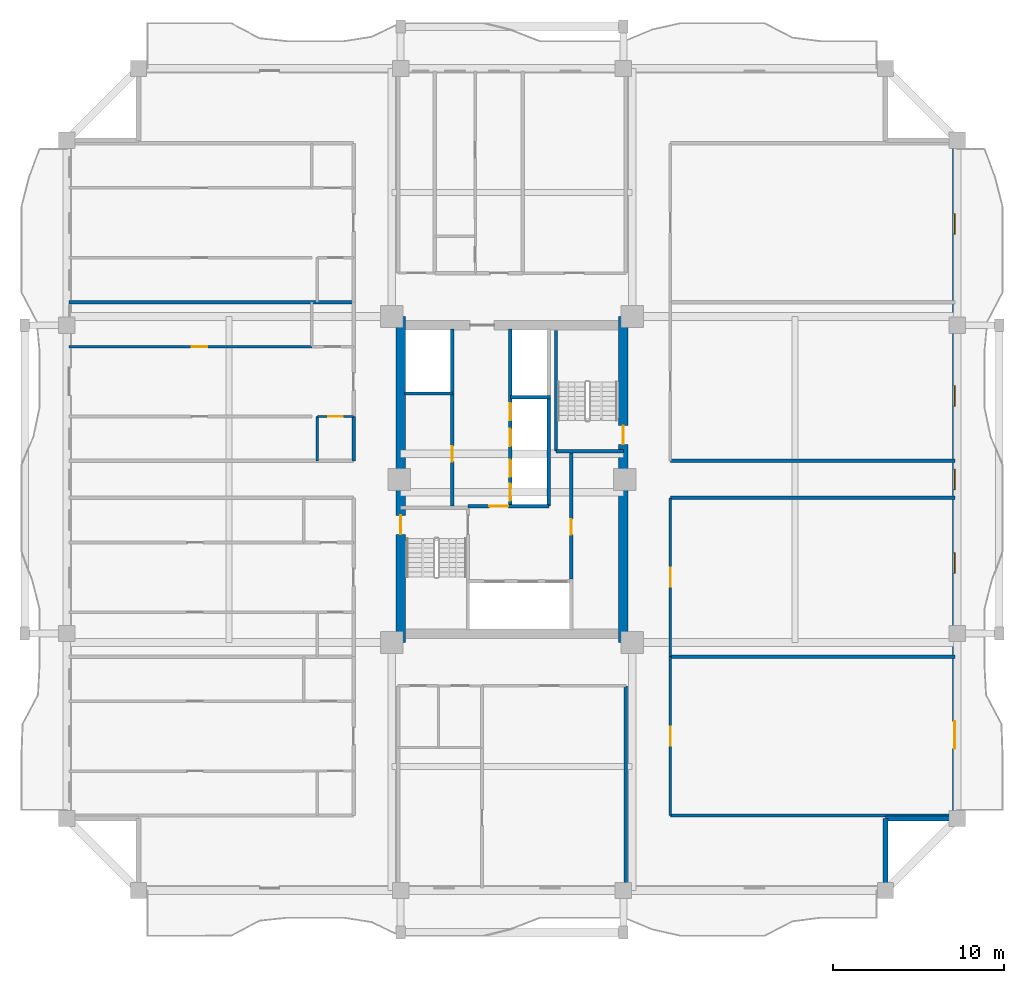
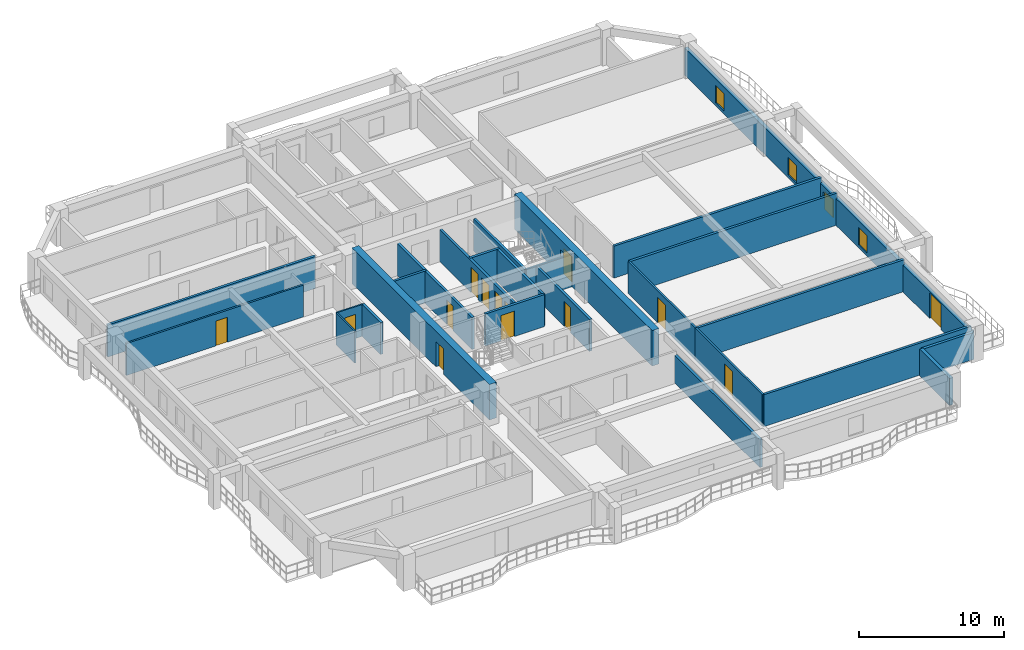
# One storey, part 4 of 11: 26 walls, 14 doors, 4 windows, 18 openings.
"""IFC4 building model written with IfcOpenShell, lengths in metres."""

from ifc_helpers import new_model, si_unit, direction, frame, frame_2d, origin, place, context, subcontext, project, spatial, rectangle, extrude, source, transform, mapped, material, layer, layer_set, type_object, element, fill, save


model = new_model("IFC4")

# Units and contexts
model_context = context("Model", 3, precision=1e-05, world=origin(), true_north=direction((0.0, 1.0)))
body_context = subcontext(model_context, "Body", "Model", "MODEL_VIEW")
ifc_project = project(units=[si_unit("LENGTHUNIT", "METRE"), si_unit("AREAUNIT", "SQUARE_METRE"), si_unit("VOLUMEUNIT", "CUBIC_METRE"), si_unit("PLANEANGLEUNIT", "RADIAN"), si_unit("MASSUNIT", "GRAM", prefix="KILO")], contexts=[model_context])

# Site, building, storey
site_placement = place(None, origin())
site = spatial("IfcSite", under=ifc_project, at=site_placement, CompositionType="ELEMENT")
building_placement = place(site_placement, origin())
building = spatial("IfcBuilding", under=site, at=building_placement, Name="Saelheon Loggia Tower", CompositionType="ELEMENT")
storey_placement = place(building_placement, frame((0.0, 0.0, 141.75)))
storey = spatial("IfcBuildingStorey", under=building, at=storey_placement, Name="L45", CompositionType="ELEMENT", Elevation=141.75)

# Wall, opening, door
ifc_material_1 = material(Name="Concrete C50/60", Category="concrete")
ifc_layer_1 = layer(ifc_material_1, 0.550048828125)
ifc_layer_set_1 = layer_set([ifc_layer_1], Name="Concrete C50/60")
wall_type_1 = type_object("IfcWallType", Name="Wall_CoreShear_550", PredefinedType="SHEAR", material=ifc_layer_set_1)
wall_1_placement = place(storey_placement, frame((31.5, 17.47998046875, 0.0), z_axis=(0.0, 0.0, 1.0), x_axis=(0.0, 1.0, 0.0)))
wall_1 = element("IfcWall", 1, at=wall_1_placement, inside=storey, type_object=wall_type_1, Name="L45 Core Shear Wall West", PredefinedType="SHEAR", context=body_context, shape_type="SweptSolid", body=[
    extrude(rectangle(XDim=19.0400390625, YDim=0.550048828125, at=frame_2d((9.52001953125, 0.0))), origin(), (0.0, 0.0, 1.0), 3.0),
])
opening_1_placement = place(wall_1_placement, frame((6.320068359375, 0.0, 0.0)))
opening_1 = element("IfcOpeningElement", 2, at=opening_1_placement, cuts=wall_1, Name="Opening D-FD2", PredefinedType="OPENING", context=body_context, shape_type="SweptSolid", body=[
    extrude(rectangle(XDim=1.10009765625, YDim=2.14990234375, at=frame_2d((0.550048828125, 1.074951171875))), frame((0.0, 0.287109375, 0.0), z_axis=(0.0, -1.0, 0.0), x_axis=(1.0, 0.0, 0.0)), (0.0, 0.0, 1.0), 0.573974609375),
])
ifc_material_2 = material(Name="Galvanised Steel Fire Door", Category="steel")
door_type_1 = type_object("IfcDoorType", Name="Door_Fire_FD60_1100", OperationType="NOTDEFINED", PredefinedType="DOOR", material=ifc_material_2)
shared_shape_1 = source(origin(), body_context, "Body", "SweptSolid", [
    extrude(rectangle(XDim=1.10009765625, YDim=2.14990234375, at=frame_2d((0.550048828125, 1.074951171875))), frame((0.0, 0.02490234375, 0.0), z_axis=(0.0, -1.0, 0.0), x_axis=(1.0, 0.0, 0.0)), (0.0, 0.0, 1.0), 0.050048828125),
])
door_1_placement = place(opening_1_placement, origin())
door_1 = element("IfcDoor", 3, at=door_1_placement, inside=storey, type_object=door_type_1, Name="L45 Stair ST1 Corridor Door", OperationType="SINGLE_SWING_LEFT", OverallHeight=2.14990234375, OverallWidth=1.10009765625, PredefinedType="DOOR", context=body_context, shape_type="MappedRepresentation", body=[
    mapped(shared_shape_1, transform((0.0, 0.0, 0.0), scale=1.0)),
])
fill(opening_1, door_1)

wall_2_placement = place(storey_placement, frame((44.5, 17.47998046875, 0.0), z_axis=(0.0, 0.0, 1.0), x_axis=(0.0, 1.0, 0.0)))
wall_2 = element("IfcWall", 4, at=wall_2_placement, inside=storey, type_object=wall_type_1, Name="L45 Core Shear Wall East", PredefinedType="SHEAR", context=body_context, shape_type="SweptSolid", body=[
    extrude(rectangle(XDim=19.0400390625, YDim=0.550048828125, at=frame_2d((9.52001953125, 0.0))), origin(), (0.0, 0.0, 1.0), 3.0),
])
opening_2_placement = place(wall_2_placement, frame((12.670166015625, 0.0, 0.0), z_axis=(0.0, 0.0, 1.0), x_axis=(-1.0, 0.0, 0.0)))
opening_2 = element("IfcOpeningElement", 5, at=opening_2_placement, cuts=wall_2, Name="Opening D-FD2", PredefinedType="OPENING", context=body_context, shape_type="SweptSolid", body=[
    extrude(rectangle(XDim=1.10009765625, YDim=2.14990234375, at=frame_2d((0.550048828125, 1.074951171875))), frame((0.0, 0.287109375, 0.0), z_axis=(0.0, -1.0, 0.0), x_axis=(1.0, 0.0, 0.0)), (0.0, 0.0, 1.0), 0.573974609375),
])
door_2_placement = place(opening_2_placement, origin())
door_2 = element("IfcDoor", 6, at=door_2_placement, inside=storey, type_object=door_type_1, Name="L45 Stair ST2 Corridor Door", OperationType="SINGLE_SWING_RIGHT", OverallHeight=2.14990234375, OverallWidth=1.10009765625, PredefinedType="DOOR", context=body_context, shape_type="MappedRepresentation", body=[
    mapped(shared_shape_1, transform((0.0, 0.0, 0.0), scale=1.0)),
])
fill(opening_2, door_2)

# Wall, openings, windows, door
ifc_material_3 = material(Name="Architectural Precast Concrete C40/50", Category="concrete")
ifc_layer_2 = layer(ifc_material_3, 0.280029296875)
ifc_layer_set_2 = layer_set([ifc_layer_2], Name="Architectural Precast Concrete C40/50")
wall_type_2 = type_object("IfcWallType", Name="Wall_Ext_Loggia_280", PredefinedType="SOLIDWALL", material=ifc_layer_set_2)
wall_3_placement = place(storey_placement, frame((63.860107421875, 7.199951171875, 0.0), z_axis=(0.0, 0.0, 1.0), x_axis=(0.0, 1.0, 0.0)))
wall_3 = element("IfcWall", 7, at=wall_3_placement, inside=storey, type_object=wall_type_2, Name="L45 East Loggia Inner Wall", PredefinedType="SOLIDWALL", context=body_context, shape_type="SweptSolid", body=[
    extrude(rectangle(XDim=39.60009765625, YDim=0.280029296875, at=frame_2d((19.800048828125, 0.0))), origin(), (0.0, 0.0, 1.0), 2.280029296875),
])
opening_3_placement = place(wall_3_placement, frame((5.6826171875, 0.0, 0.0), z_axis=(0.0, 0.0, 1.0), x_axis=(-1.0, 0.0, 0.0)))
opening_3 = element("IfcOpeningElement", 8, at=opening_3_placement, cuts=wall_3, Name="Opening DLG-1", PredefinedType="OPENING", context=body_context, shape_type="SweptSolid", body=[
    extrude(rectangle(XDim=1.60009765625, YDim=2.14990234375, at=frame_2d((0.800048828125, 1.074951171875))), frame((0.0, 0.152099609375, 0.0), z_axis=(0.0, -1.0, 0.0), x_axis=(1.0, 0.0, 0.0)), (0.0, 0.0, 1.0), 0.303955078125),
])
opening_4_placement = place(wall_3_placement, frame((14.3173828125, 0.0, 0.25)))
opening_4 = element("IfcOpeningElement", 9, at=opening_4_placement, cuts=wall_3, Name="Opening WN-03", PredefinedType="OPENING", context=body_context, shape_type="SweptSolid", body=[
    extrude(rectangle(XDim=1.199951171875, YDim=1.5, at=frame_2d((0.60009765625, 0.75))), frame((0.0, 0.152099609375, 0.0), z_axis=(0.0, -1.0, 0.0), x_axis=(1.0, 0.0, 0.0)), (0.0, 0.0, 1.0), 0.303955078125),
])
opening_5_placement = place(wall_3_placement, frame((19.199951171875, 0.0, 0.25)))
opening_5 = element("IfcOpeningElement", 10, at=opening_5_placement, cuts=wall_3, Name="Opening WN-03", PredefinedType="OPENING", context=body_context, shape_type="SweptSolid", body=[
    extrude(rectangle(XDim=1.199951171875, YDim=1.5, at=frame_2d((0.60009765625, 0.75))), frame((0.0, 0.152099609375, 0.0), z_axis=(0.0, -1.0, 0.0), x_axis=(1.0, 0.0, 0.0)), (0.0, 0.0, 1.0), 0.303955078125),
])
opening_6_placement = place(wall_3_placement, frame((24.08251953125, 0.0, 0.25)))
opening_6 = element("IfcOpeningElement", 11, at=opening_6_placement, cuts=wall_3, Name="Opening WN-03", PredefinedType="OPENING", context=body_context, shape_type="SweptSolid", body=[
    extrude(rectangle(XDim=1.199951171875, YDim=1.5, at=frame_2d((0.60009765625, 0.75))), frame((0.0, 0.152099609375, 0.0), z_axis=(0.0, -1.0, 0.0), x_axis=(1.0, 0.0, 0.0)), (0.0, 0.0, 1.0), 0.303955078125),
])
opening_7_placement = place(wall_3_placement, frame((34.117431640625, 0.0, 0.25)))
opening_7 = element("IfcOpeningElement", 12, at=opening_7_placement, cuts=wall_3, Name="Opening WN-03", PredefinedType="OPENING", context=body_context, shape_type="SweptSolid", body=[
    extrude(rectangle(XDim=1.199951171875, YDim=1.5, at=frame_2d((0.60009765625, 0.75))), frame((0.0, 0.152099609375, 0.0), z_axis=(0.0, -1.0, 0.0), x_axis=(1.0, 0.0, 0.0)), (0.0, 0.0, 1.0), 0.303955078125),
])
ifc_material_4 = material(Name="Thermal-Break Aluminium and Triple Low-E Glass", Category="aluminium")
window_type = type_object("IfcWindowType", Name="Win_Bedroom_1200x1500", PartitioningType="SINGLE_PANEL", PredefinedType="WINDOW", material=ifc_material_4)
shared_shape_2 = source(origin(), body_context, "Body", "SweptSolid", [
    extrude(rectangle(XDim=1.199951171875, YDim=1.5, at=frame_2d((0.60009765625, 0.75))), frame((0.0, 0.030029296875, 0.0), z_axis=(0.0, -1.0, 0.0), x_axis=(1.0, 0.0, 0.0)), (0.0, 0.0, 1.0), 0.06005859375),
])
window_1_placement = place(opening_4_placement, origin())
window_1 = element("IfcWindow", 13, at=window_1_placement, inside=storey, type_object=window_type, Name="L45 E Dwelling Window 2", OverallHeight=1.5, OverallWidth=1.199951171875, PartitioningType="SINGLE_PANEL", PredefinedType="WINDOW", context=body_context, shape_type="MappedRepresentation", body=[
    mapped(shared_shape_2, transform((0.0, 0.0, 0.0), scale=1.0)),
])
fill(opening_4, window_1)
window_2_placement = place(opening_5_placement, origin())
window_2 = element("IfcWindow", 14, at=window_2_placement, inside=storey, type_object=window_type, Name="L45 E Dwelling Window 3", OverallHeight=1.5, OverallWidth=1.199951171875, PartitioningType="SINGLE_PANEL", PredefinedType="WINDOW", context=body_context, shape_type="MappedRepresentation", body=[
    mapped(shared_shape_2, transform((0.0, 0.0, 0.0), scale=1.0)),
])
fill(opening_5, window_2)
window_3_placement = place(opening_6_placement, origin())
window_3 = element("IfcWindow", 15, at=window_3_placement, inside=storey, type_object=window_type, Name="L45 E Dwelling Window 4", OverallHeight=1.5, OverallWidth=1.199951171875, PartitioningType="SINGLE_PANEL", PredefinedType="WINDOW", context=body_context, shape_type="MappedRepresentation", body=[
    mapped(shared_shape_2, transform((0.0, 0.0, 0.0), scale=1.0)),
])
fill(opening_6, window_3)
window_4_placement = place(opening_7_placement, origin())
window_4 = element("IfcWindow", 16, at=window_4_placement, inside=storey, type_object=window_type, Name="L45 E Dwelling Window 5", OverallHeight=1.5, OverallWidth=1.199951171875, PartitioningType="SINGLE_PANEL", PredefinedType="WINDOW", context=body_context, shape_type="MappedRepresentation", body=[
    mapped(shared_shape_2, transform((0.0, 0.0, 0.0), scale=1.0)),
])
fill(opening_7, window_4)
ifc_material_5 = material(Name="Thermal-Break Aluminium Sliding Glazed Door", Category="aluminium")
door_type_2 = type_object("IfcDoorType", Name="Door_LoggiaSlide_1600", OperationType="SLIDING_TO_LEFT", PredefinedType="DOOR", material=ifc_material_5)
shared_shape_3 = source(origin(), body_context, "Body", "SweptSolid", [
    extrude(rectangle(XDim=1.60009765625, YDim=2.14990234375, at=frame_2d((0.800048828125, 1.074951171875))), frame((0.0, 0.02490234375, 0.0), z_axis=(0.0, -1.0, 0.0), x_axis=(1.0, 0.0, 0.0)), (0.0, 0.0, 1.0), 0.050048828125),
])
door_3_placement = place(opening_3_placement, origin())
door_3 = element("IfcDoor", 17, at=door_3_placement, inside=storey, type_object=door_type_2, Name="L45 E Loggia Access Door", OperationType="SLIDING_TO_LEFT", OverallHeight=2.14990234375, OverallWidth=1.60009765625, PredefinedType="DOOR", context=body_context, shape_type="MappedRepresentation", body=[
    mapped(shared_shape_3, transform((0.0, 0.0, 0.0), scale=1.0)),
])
fill(opening_3, door_3)

# Walls
for number, where, z_axis, x_axis, name in (
    (18, (59.800048828125, 3.080078125, 0.0), (0.0, 0.0, 1.0), (0.0, 1.0, 0.0), "L45 Corner Notch Precast Wall SE1"),
    (19, (59.800048828125, 7.199951171875, 0.0), (0.0, 0.0, 1.0), (1.0, 0.0, 0.0), "L45 Corner Notch Precast Wall SE2"),
):
    element("IfcWall", number, at=place(storey_placement, frame(where, z_axis=z_axis, x_axis=x_axis)), inside=storey, type_object=wall_type_2, Name=name, PredefinedType="SOLIDWALL", context=body_context, shape_type="SweptSolid", body=[
        extrude(rectangle(XDim=4.119873046875, YDim=0.280029296875, at=frame_2d((2.06005859375, 0.0))), origin(), (0.0, 0.0, 1.0), 2.280029296875),
    ])

# Wall, opening, door
ifc_material_6 = material(Name="Lightweight Autoclaved Aerated Concrete Block and Acoustic Gypsum", Category="concrete")
ifc_layer_3 = layer(ifc_material_6, 0.14990234375)
ifc_layer_set_3 = layer_set([ifc_layer_3], Name="Lightweight Autoclaved Aerated Concrete Block and Acoustic Gypsum")
wall_type_3 = type_object("IfcWallType", Name="Wall_Part_150", PredefinedType="PARTITIONING", material=ifc_layer_set_3)
wall_4_placement = place(storey_placement, frame((26.31005859375, 34.75, 0.0), z_axis=(0.0, 0.0, 1.0), x_axis=(-1.0, 0.0, 0.0)))
wall_4 = element("IfcWall", 20, at=wall_4_placement, inside=storey, type_object=wall_type_3, Name="L45 WN Partition U11", PredefinedType="PARTITIONING", context=body_context, shape_type="SweptSolid", body=[
    extrude(rectangle(XDim=14.16015625, YDim=0.14990234375, at=frame_2d((7.080078125, 0.0))), origin(), (0.0, 0.0, 1.0), 2.699951171875),
])
opening_8_placement = place(wall_4_placement, frame((6.097412109375, 0.0, 0.0)))
opening_8 = element("IfcOpeningElement", 21, at=opening_8_placement, cuts=wall_4, Name="Opening D-IN2", PredefinedType="OPENING", context=body_context, shape_type="SweptSolid", body=[
    extrude(rectangle(XDim=0.89990234375, YDim=2.10009765625, at=frame_2d((0.449951171875, 1.050048828125))), frame((0.0, 0.0869140625, 0.0), z_axis=(0.0, -1.0, 0.0), x_axis=(1.0, 0.0, 0.0)), (0.0, 0.0, 1.0), 0.173828125),
])
ifc_material_7 = material(Name="Engineered Oak Flush Door", Category="timber")
door_type_3 = type_object("IfcDoorType", Name="Door_Int_900", OperationType="NOTDEFINED", PredefinedType="DOOR", material=ifc_material_7)
shared_shape_4 = source(origin(), body_context, "Body", "SweptSolid", [
    extrude(rectangle(XDim=0.89990234375, YDim=2.10009765625, at=frame_2d((0.449951171875, 1.050048828125))), frame((0.0, 0.02490234375, 0.0), z_axis=(0.0, -1.0, 0.0), x_axis=(1.0, 0.0, 0.0)), (0.0, 0.0, 1.0), 0.050048828125),
])
door_4_placement = place(opening_8_placement, origin())
door_4 = element("IfcDoor", 22, at=door_4_placement, inside=storey, type_object=door_type_3, Name="Unit U04 Bedroom 1 Door", OperationType="SINGLE_SWING_RIGHT", OverallHeight=2.10009765625, OverallWidth=0.89990234375, PredefinedType="DOOR", context=body_context, shape_type="MappedRepresentation", body=[
    mapped(shared_shape_4, transform((0.0, 0.0, 0.0), scale=1.0)),
])
fill(opening_8, door_4)

wall_5_placement = place(storey_placement, frame((47.25, 7.3798828125, 0.0), z_axis=(0.0, 0.0, 1.0), x_axis=(0.0, 1.0, 0.0)))
wall_5 = element("IfcWall", 23, at=wall_5_placement, inside=storey, type_object=wall_type_3, Name="L45 ES Partition V03", PredefinedType="PARTITIONING", context=body_context, shape_type="SweptSolid", body=[
    extrude(rectangle(XDim=9.27001953125, YDim=0.14990234375, at=frame_2d((4.635009765625, 0.0))), origin(), (0.0, 0.0, 1.0), 2.699951171875),
])
opening_9_placement = place(wall_5_placement, frame((4.0849609375, 0.0, 0.0)))
opening_9 = element("IfcOpeningElement", 24, at=opening_9_placement, cuts=wall_5, Name="Opening D-FD2", PredefinedType="OPENING", context=body_context, shape_type="SweptSolid", body=[
    extrude(rectangle(XDim=1.10009765625, YDim=2.14990234375, at=frame_2d((0.550048828125, 1.074951171875))), frame((0.0, 0.0869140625, 0.0), z_axis=(0.0, -1.0, 0.0), x_axis=(1.0, 0.0, 0.0)), (0.0, 0.0, 1.0), 0.173828125),
])
door_5_placement = place(opening_9_placement, origin())
door_5 = element("IfcDoor", 25, at=door_5_placement, inside=storey, type_object=door_type_1, Name="L45 Co-Working Open Plan Office Door A", OperationType="SINGLE_SWING_RIGHT", OverallHeight=2.14990234375, OverallWidth=1.10009765625, PredefinedType="DOOR", context=body_context, shape_type="MappedRepresentation", body=[
    mapped(shared_shape_1, transform((0.0, 0.0, 0.0), scale=1.0)),
])
fill(opening_9, door_5)

wall_6_placement = place(storey_placement, frame((47.25, 16.64990234375, 0.0), z_axis=(0.0, 0.0, 1.0), x_axis=(0.0, 1.0, 0.0)))
wall_6 = element("IfcWall", 26, at=wall_6_placement, inside=storey, type_object=wall_type_3, Name="L45 ES Partition V05", PredefinedType="PARTITIONING", context=body_context, shape_type="SweptSolid", body=[
    extrude(rectangle(XDim=9.27001953125, YDim=0.14990234375, at=frame_2d((4.635009765625, 0.0))), origin(), (0.0, 0.0, 1.0), 2.699951171875),
])
opening_10_placement = place(wall_6_placement, frame((4.0849609375, 0.0, 0.0)))
opening_10 = element("IfcOpeningElement", 27, at=opening_10_placement, cuts=wall_6, Name="Opening D-FD2", PredefinedType="OPENING", context=body_context, shape_type="SweptSolid", body=[
    extrude(rectangle(XDim=1.10009765625, YDim=2.14990234375, at=frame_2d((0.550048828125, 1.074951171875))), frame((0.0, 0.0869140625, 0.0), z_axis=(0.0, -1.0, 0.0), x_axis=(1.0, 0.0, 0.0)), (0.0, 0.0, 1.0), 0.173828125),
])
door_6_placement = place(opening_10_placement, origin())
door_6 = element("IfcDoor", 28, at=door_6_placement, inside=storey, type_object=door_type_1, Name="L45 Co-Working Open Plan Office Door A", OperationType="SINGLE_SWING_LEFT", OverallHeight=2.14990234375, OverallWidth=1.10009765625, PredefinedType="DOOR", context=body_context, shape_type="MappedRepresentation", body=[
    mapped(shared_shape_1, transform((0.0, 0.0, 0.0), scale=1.0)),
])
fill(opening_10, door_6)

# Walls
ifc_material_8 = material(Name="Double Acoustic Stud and Fireboard Partition", Category="gypsum")
ifc_layer_4 = layer(ifc_material_8, 0.199951171875)
ifc_layer_set_4 = layer_set([ifc_layer_4], Name="Double Acoustic Stud and Fireboard Partition")
wall_type_4 = type_object("IfcWallType", Name="Wall_Party_200", PredefinedType="PARTITIONING", material=ifc_layer_set_4)
wall_7_placement = place(storey_placement, frame((44.64990234375, 14.949951171875, 0.0), z_axis=(0.0, 0.0, 1.0), x_axis=(0.0, -1.0, 0.0)))
element("IfcWall", 29, at=wall_7_placement, inside=storey, type_object=wall_type_4, Name="L45 S Partition U02", PredefinedType="PARTITIONING", context=body_context, shape_type="SweptSolid", body=[
    extrude(rectangle(XDim=11.800048828125, YDim=0.199951171875, at=frame_2d((5.89990234375, 0.0))), origin(), (0.0, 0.0, 1.0), 2.340087890625),
])
wall_8_placement = place(storey_placement, frame((28.75, 28.080078125, 0.0), z_axis=(0.0, 0.0, 1.0), x_axis=(0.0, 1.0, 0.0)))
element("IfcWall", 30, at=wall_8_placement, inside=storey, type_object=wall_type_4, Name="L45 WN Partition V03", PredefinedType="PARTITIONING", context=body_context, shape_type="SweptSolid", body=[
    extrude(rectangle(XDim=2.595458984375, YDim=0.199951171875, at=frame_2d((1.2978515625, 0.0))), origin(), (0.0, 0.0, 1.0), 2.699951171875),
])
for number, where, z_axis, x_axis, name in (
    (31, (28.75, 37.35009765625, 0.0), (0.0, 0.0, 1.0), (-1.0, 0.0, 0.0), "L45 WN Partition U12"),
    (32, (47.25, 7.3798828125, 0.0), (0.0, 0.0, 1.0), (1.0, 0.0, 0.0), "L45 ES Partition U01"),
    (33, (47.25, 25.919921875, 0.0), (0.0, 0.0, 1.0), (1.0, 0.0, 0.0), "L45 ES Partition U02"),
    (34, (47.25, 16.64990234375, 0.0), (0.0, 0.0, 1.0), (1.0, 0.0, 0.0), "L45 ES Partition U04"),
    (35, (47.25, 28.080078125, 0.0), (0.0, 0.0, 1.0), (1.0, 0.0, 0.0), "L45 EN Partition U01"),
):
    element("IfcWall", number, at=place(storey_placement, frame(where, z_axis=z_axis, x_axis=x_axis)), inside=storey, type_object=wall_type_4, Name=name, PredefinedType="PARTITIONING", context=body_context, shape_type="SweptSolid", body=[
        extrude(rectangle(XDim=16.60009765625, YDim=0.199951171875, at=frame_2d((8.300048828125, 0.0))), origin(), (0.0, 0.0, 1.0), 2.699951171875),
    ])

# Wall, opening, door
ifc_material_9 = material(Name="Concrete C40/50", Category="concrete")
ifc_layer_5 = layer(ifc_material_9, 0.199951171875)
ifc_layer_set_5 = layer_set([ifc_layer_5], Name="Concrete C40/50")
wall_type_5 = type_object("IfcWallType", Name="Wall_Shaft_200", PredefinedType="PARTITIONING", material=ifc_layer_set_5)
wall_9_placement = place(storey_placement, frame((41.449951171875, 21.179931640625, 0.0), z_axis=(0.0, 0.0, 1.0), x_axis=(0.0, 1.0, 0.0)))
wall_9 = element("IfcWall", 36, at=wall_9_placement, inside=storey, type_object=wall_type_5, Name="CW-INT-L45-BOH-W1", PredefinedType="PARTITIONING", context=body_context, shape_type="SweptSolid", body=[
    extrude(rectangle(XDim=7.420166015625, YDim=0.199951171875, at=frame_2d((3.7099609375, 0.0))), origin(), (0.0, 0.0, 1.0), 2.699951171875),
])
opening_11_placement = place(wall_9_placement, frame((2.60009765625, 0.0, 0.0)))
opening_11 = element("IfcOpeningElement", 37, at=opening_11_placement, cuts=wall_9, Name="Opening D-RS1", PredefinedType="OPENING", context=body_context, shape_type="SweptSolid", body=[
    extrude(rectangle(XDim=0.89990234375, YDim=2.10009765625, at=frame_2d((0.449951171875, 1.050048828125))), frame((0.0, 0.112060546875, 0.0), z_axis=(0.0, -1.0, 0.0), x_axis=(1.0, 0.0, 0.0)), (0.0, 0.0, 1.0), 0.223876953125),
])
ifc_material_10 = material(Name="Galvanised Steel Riser Access Door", Category="steel")
door_type_4 = type_object("IfcDoorType", Name="Door_Riser_FD60", OperationType="NOTDEFINED", PredefinedType="DOOR", material=ifc_material_10)
door_7_placement = place(opening_11_placement, origin())
door_7 = element("IfcDoor", 38, at=door_7_placement, inside=storey, type_object=door_type_4, Name="L45 Core Service Store Door", OperationType="SINGLE_SWING_LEFT", OverallHeight=2.10009765625, OverallWidth=0.89990234375, PredefinedType="DOOR", context=body_context, shape_type="MappedRepresentation", body=[
    mapped(shared_shape_4, transform((0.0, 0.0, 0.0), scale=1.0)),
])
fill(opening_11, door_7)

# Wall
wall_10_placement = place(storey_placement, frame((40.14990234375, 25.43994140625, 0.0), z_axis=(0.0, 0.0, 1.0), x_axis=(0.0, 1.0, 0.0)))
element("IfcWall", 39, at=wall_10_placement, inside=storey, type_object=wall_type_5, Name="L45 Core Service Passage West Wall", PredefinedType="PARTITIONING", context=body_context, shape_type="SweptSolid", body=[
    extrude(rectangle(XDim=6.360107421875, YDim=0.199951171875, at=frame_2d((3.18017578125, 0.0))), origin(), (0.0, 0.0, 1.0), 2.699951171875),
])

# Wall, opening, door
wall_11_placement = place(storey_placement, frame((35.429931640625, 25.43994140625, 0.0), z_axis=(0.0, 0.0, 1.0), x_axis=(1.0, 0.0, 0.0)))
wall_11 = element("IfcWall", 40, at=wall_11_placement, inside=storey, type_object=wall_type_5, Name="L45 Firefighting Lobby Compartment Wall", PredefinedType="PARTITIONING", context=body_context, shape_type="SweptSolid", body=[
    extrude(rectangle(XDim=4.719970703125, YDim=0.199951171875, at=frame_2d((2.35986328125, 0.0))), origin(), (0.0, 0.0, 1.0), 2.699951171875),
])
opening_12_placement = place(wall_11_placement, frame((1.25, 0.0, 0.0)))
opening_12 = element("IfcOpeningElement", 41, at=opening_12_placement, cuts=wall_11, Name="Opening D-FD2", PredefinedType="OPENING", context=body_context, shape_type="SweptSolid", body=[
    extrude(rectangle(XDim=1.10009765625, YDim=2.14990234375, at=frame_2d((0.550048828125, 1.074951171875))), frame((0.0, 0.112060546875, 0.0), z_axis=(0.0, -1.0, 0.0), x_axis=(1.0, 0.0, 0.0)), (0.0, 0.0, 1.0), 0.223876953125),
])
door_8_placement = place(opening_12_placement, origin())
door_8 = element("IfcDoor", 42, at=door_8_placement, inside=storey, type_object=door_type_1, Name="L45 Firefighting Lobby Door", OperationType="SINGLE_SWING_RIGHT", OverallHeight=2.14990234375, OverallWidth=1.10009765625, PredefinedType="DOOR", context=body_context, shape_type="MappedRepresentation", body=[
    mapped(shared_shape_1, transform((0.0, 0.0, 0.0), scale=1.0)),
])
fill(opening_12, door_8)

wall_12_placement = place(storey_placement, frame((34.52001953125, 25.43994140625, 0.0), z_axis=(0.0, 0.0, 1.0), x_axis=(0.0, 1.0, 0.0)))
wall_12 = element("IfcWall", 43, at=wall_12_placement, inside=storey, type_object=wall_type_5, Name="L45 West Passenger Lift Bank Wall", PredefinedType="PARTITIONING", context=body_context, shape_type="SweptSolid", body=[
    extrude(rectangle(XDim=10.340087890625, YDim=0.199951171875, at=frame_2d((5.169921875, 0.0))), origin(), (0.0, 0.0, 1.0), 2.699951171875),
])
opening_13_placement = place(wall_12_placement, frame((2.60009765625, 0.0, 0.0)))
opening_13 = element("IfcOpeningElement", 44, at=opening_13_placement, cuts=wall_12, Name="Opening D-RS1", PredefinedType="OPENING", context=body_context, shape_type="SweptSolid", body=[
    extrude(rectangle(XDim=0.89990234375, YDim=2.10009765625, at=frame_2d((0.449951171875, 1.050048828125))), frame((0.0, 0.112060546875, 0.0), z_axis=(0.0, -1.0, 0.0), x_axis=(1.0, 0.0, 0.0)), (0.0, 0.0, 1.0), 0.223876953125),
])
door_9_placement = place(opening_13_placement, origin())
door_9 = element("IfcDoor", 45, at=door_9_placement, inside=storey, type_object=door_type_4, Name="L45 Core Parcel Room Door", OperationType="SINGLE_SWING_RIGHT", OverallHeight=2.10009765625, OverallWidth=0.89990234375, PredefinedType="DOOR", context=body_context, shape_type="MappedRepresentation", body=[
    mapped(shared_shape_4, transform((0.0, 0.0, 0.0), scale=1.0)),
])
fill(opening_13, door_9)

# Wall
wall_13_placement = place(storey_placement, frame((31.719970703125, 32.02001953125, 0.0), z_axis=(0.0, 0.0, 1.0), x_axis=(1.0, 0.0, 0.0)))
element("IfcWall", 46, at=wall_13_placement, inside=storey, type_object=wall_type_5, Name="L45 West High-Rise Shaft Divider", PredefinedType="PARTITIONING", context=body_context, shape_type="SweptSolid", body=[
    extrude(rectangle(XDim=2.800048828125, YDim=0.199951171875, at=frame_2d((1.39990234375, 0.0))), origin(), (0.0, 0.0, 1.0), 2.699951171875),
])

# Wall, openings, doors
wall_14_placement = place(storey_placement, frame((37.89990234375, 25.43994140625, 0.0), z_axis=(0.0, 0.0, 1.0), x_axis=(0.0, 1.0, 0.0)))
wall_14 = element("IfcWall", 47, at=wall_14_placement, inside=storey, type_object=wall_type_5, Name="L45 East Passenger Lift Bank Wall", PredefinedType="PARTITIONING", context=body_context, shape_type="SweptSolid", body=[
    extrude(rectangle(XDim=10.340087890625, YDim=0.199951171875, at=frame_2d((5.169921875, 0.0))), origin(), (0.0, 0.0, 1.0), 2.699951171875),
])
opening_14_placement = place(wall_14_placement, frame((0.320068359375, 0.0, 0.0)))
opening_14 = element("IfcOpeningElement", 48, at=opening_14_placement, cuts=wall_14, Name="Opening LD1", PredefinedType="OPENING", context=body_context, shape_type="SweptSolid", body=[
    extrude(rectangle(XDim=1.0, YDim=2.14990234375, at=frame_2d((0.5, 1.074951171875))), frame((0.0, 0.112060546875, 0.0), z_axis=(0.0, -1.0, 0.0), x_axis=(1.0, 0.0, 0.0)), (0.0, 0.0, 1.0), 0.223876953125),
])
opening_15_placement = place(wall_14_placement, frame((1.7099609375, 0.0, 0.0)))
opening_15 = element("IfcOpeningElement", 49, at=opening_15_placement, cuts=wall_14, Name="Opening LD1", PredefinedType="OPENING", context=body_context, shape_type="SweptSolid", body=[
    extrude(rectangle(XDim=1.0, YDim=2.14990234375, at=frame_2d((0.5, 1.074951171875))), frame((0.0, 0.112060546875, 0.0), z_axis=(0.0, -1.0, 0.0), x_axis=(1.0, 0.0, 0.0)), (0.0, 0.0, 1.0), 0.223876953125),
])
opening_16_placement = place(wall_14_placement, frame((3.510009765625, 0.0, 0.0)))
opening_16 = element("IfcOpeningElement", 50, at=opening_16_placement, cuts=wall_14, Name="Opening LD1", PredefinedType="OPENING", context=body_context, shape_type="SweptSolid", body=[
    extrude(rectangle(XDim=1.0, YDim=2.14990234375, at=frame_2d((0.5, 1.074951171875))), frame((0.0, 0.112060546875, 0.0), z_axis=(0.0, -1.0, 0.0), x_axis=(1.0, 0.0, 0.0)), (0.0, 0.0, 1.0), 0.223876953125),
])
opening_17_placement = place(wall_14_placement, frame((5.010009765625, 0.0, 0.0)))
opening_17 = element("IfcOpeningElement", 51, at=opening_17_placement, cuts=wall_14, Name="Opening LD1", PredefinedType="OPENING", context=body_context, shape_type="SweptSolid", body=[
    extrude(rectangle(XDim=1.0, YDim=2.14990234375, at=frame_2d((0.5, 1.074951171875))), frame((0.0, 0.112060546875, 0.0), z_axis=(0.0, -1.0, 0.0), x_axis=(1.0, 0.0, 0.0)), (0.0, 0.0, 1.0), 0.223876953125),
])
ifc_material_11 = material(Name="Brushed Stainless Steel 304 Landing Door", Category="steel")
door_type_5 = type_object("IfcDoorType", Name="Door_Lift_LD1", OperationType="DOUBLE_DOOR_SLIDING", PredefinedType="DOOR", material=ifc_material_11)
shared_shape_5 = source(origin(), body_context, "Body", "SweptSolid", [
    extrude(rectangle(XDim=1.0, YDim=2.14990234375, at=frame_2d((0.5, 1.074951171875))), frame((0.0, 0.02490234375, 0.0), z_axis=(0.0, -1.0, 0.0), x_axis=(1.0, 0.0, 0.0)), (0.0, 0.0, 1.0), 0.050048828125),
])
door_10_placement = place(opening_14_placement, origin())
door_10 = element("IfcDoor", 52, at=door_10_placement, inside=storey, type_object=door_type_5, Name="L45 PM1 Landing Door", OperationType="DOUBLE_DOOR_SLIDING", OverallHeight=2.14990234375, OverallWidth=1.0, PredefinedType="DOOR", context=body_context, shape_type="MappedRepresentation", body=[
    mapped(shared_shape_5, transform((0.0, 0.0, 0.0), scale=1.0)),
])
fill(opening_14, door_10)
door_11_placement = place(opening_15_placement, origin())
door_11 = element("IfcDoor", 53, at=door_11_placement, inside=storey, type_object=door_type_5, Name="L45 PM2 Landing Door", OperationType="DOUBLE_DOOR_SLIDING", OverallHeight=2.14990234375, OverallWidth=1.0, PredefinedType="DOOR", context=body_context, shape_type="MappedRepresentation", body=[
    mapped(shared_shape_5, transform((0.0, 0.0, 0.0), scale=1.0)),
])
fill(opening_15, door_11)
door_12_placement = place(opening_16_placement, origin())
door_12 = element("IfcDoor", 54, at=door_12_placement, inside=storey, type_object=door_type_5, Name="L45 PM3 Landing Door", OperationType="DOUBLE_DOOR_SLIDING", OverallHeight=2.14990234375, OverallWidth=1.0, PredefinedType="DOOR", context=body_context, shape_type="MappedRepresentation", body=[
    mapped(shared_shape_5, transform((0.0, 0.0, 0.0), scale=1.0)),
])
fill(opening_16, door_12)
door_13_placement = place(opening_17_placement, origin())
door_13 = element("IfcDoor", 55, at=door_13_placement, inside=storey, type_object=door_type_5, Name="L45 PM4 Landing Door", OperationType="DOUBLE_DOOR_SLIDING", OverallHeight=2.14990234375, OverallWidth=1.0, PredefinedType="DOOR", context=body_context, shape_type="MappedRepresentation", body=[
    mapped(shared_shape_5, transform((0.0, 0.0, 0.0), scale=1.0)),
])
fill(opening_17, door_13)

# Walls
wall_15_placement = place(storey_placement, frame((37.89990234375, 31.800048828125, 0.0), z_axis=(0.0, 0.0, 1.0), x_axis=(1.0, 0.0, 0.0)))
element("IfcWall", 56, at=wall_15_placement, inside=storey, type_object=wall_type_5, Name="L45 East High-Rise Shaft Divider", PredefinedType="PARTITIONING", context=body_context, shape_type="SweptSolid", body=[
    extrude(rectangle(XDim=2.35009765625, YDim=0.199951171875, at=frame_2d((1.175048828125, 0.0))), origin(), (0.0, 0.0, 1.0), 2.699951171875),
])
ifc_material_12 = material(Name="Concrete C45/55", Category="concrete")
ifc_layer_6 = layer(ifc_material_12, 0.199951171875)
ifc_layer_set_6 = layer_set([ifc_layer_6], Name="Concrete C45/55")
wall_type_6 = type_object("IfcWallType", Name="Wall_StairShaft_RC200", PredefinedType="SOLIDWALL", material=ifc_layer_set_6)
wall_16_placement = place(storey_placement, frame((40.570068359375, 28.64990234375, 0.0), z_axis=(0.0, 0.0, 1.0), x_axis=(0.0, 1.0, 0.0)))
element("IfcWall", 57, at=wall_16_placement, inside=storey, type_object=wall_type_6, Name="L45 Stair ST2 Shaft Wall", PredefinedType="SOLIDWALL", context=body_context, shape_type="SweptSolid", body=[
    extrude(rectangle(XDim=7.050048828125, YDim=0.199951171875, at=frame_2d((3.52490234375, 0.0))), origin(), (0.0, 0.0, 1.0), 2.699951171875),
])
wall_17_placement = place(storey_placement, frame((40.570068359375, 28.64990234375, 0.0), z_axis=(0.0, 0.0, 1.0), x_axis=(1.0, 0.0, 0.0)))
element("IfcWall", 58, at=wall_17_placement, inside=storey, type_object=wall_type_6, Name="L45 Stair ST2 South Wall", PredefinedType="SOLIDWALL", context=body_context, shape_type="SweptSolid", body=[
    extrude(rectangle(XDim=3.929931640625, YDim=0.199951171875, at=frame_2d((1.96484375, 0.0))), origin(), (0.0, 0.0, 1.0), 2.699951171875),
])
ifc_material_13 = material(Name="Moisture-Resistant Cement Board Partition", Category="gypsum")
ifc_layer_7 = layer(ifc_material_13, 0.1201171875)
ifc_layer_set_7 = layer_set([ifc_layer_7], Name="Moisture-Resistant Cement Board Partition")
wall_type_7 = type_object("IfcWallType", Name="Wall_WetPart_120", PredefinedType="PARTITIONING", material=ifc_layer_set_7)
wall_18_placement = place(storey_placement, frame((26.6298828125, 28.080078125, 0.0), z_axis=(0.0, 0.0, 1.0), x_axis=(0.0, 1.0, 0.0)))
element("IfcWall", 59, at=wall_18_placement, inside=storey, type_object=wall_type_7, Name="L45 WN Partition V06", PredefinedType="PARTITIONING", context=body_context, shape_type="SweptSolid", body=[
    extrude(rectangle(XDim=2.595458984375, YDim=0.1201171875, at=frame_2d((1.2978515625, 0.0))), origin(), (0.0, 0.0, 1.0), 2.699951171875),
])

# Wall, opening, door
wall_19_placement = place(storey_placement, frame((28.75, 30.675537109375, 0.0), z_axis=(0.0, 0.0, 1.0), x_axis=(-1.0, 0.0, 0.0)))
wall_19 = element("IfcWall", 60, at=wall_19_placement, inside=storey, type_object=wall_type_7, Name="L45 WN Partition U08", PredefinedType="PARTITIONING", context=body_context, shape_type="SweptSolid", body=[
    extrude(rectangle(XDim=2.1201171875, YDim=0.1201171875, at=frame_2d((1.06005859375, 0.0))), origin(), (0.0, 0.0, 1.0), 2.699951171875),
])
opening_18_placement = place(wall_19_placement, frame((0.635009765625, 0.0, 0.0)))
opening_18 = element("IfcOpeningElement", 61, at=opening_18_placement, cuts=wall_19, Name="Opening D-BT1", PredefinedType="OPENING", context=body_context, shape_type="SweptSolid", body=[
    extrude(rectangle(XDim=0.85009765625, YDim=2.050048828125, at=frame_2d((0.425048828125, 1.02490234375))), frame((0.0, 0.072021484375, 0.0), z_axis=(0.0, -1.0, 0.0), x_axis=(1.0, 0.0, 0.0)), (0.0, 0.0, 1.0), 0.14404296875),
])
ifc_material_14 = material(Name="Moisture-Resistant Laminate Timber Door", Category="wood")
door_type_6 = type_object("IfcDoorType", Name="Door_Bath_850", OperationType="NOTDEFINED", PredefinedType="DOOR", material=ifc_material_14)
shared_shape_6 = source(origin(), body_context, "Body", "SweptSolid", [
    extrude(rectangle(XDim=0.85009765625, YDim=2.050048828125, at=frame_2d((0.425048828125, 1.02490234375))), frame((0.0, 0.02490234375, 0.0), z_axis=(0.0, -1.0, 0.0), x_axis=(1.0, 0.0, 0.0)), (0.0, 0.0, 1.0), 0.050048828125),
])
door_14_placement = place(opening_18_placement, origin())
door_14 = element("IfcDoor", 62, at=door_14_placement, inside=storey, type_object=door_type_6, Name="Unit U04 Bathroom Door", OperationType="SINGLE_SWING_LEFT", OverallHeight=2.050048828125, OverallWidth=0.85009765625, PredefinedType="DOOR", context=body_context, shape_type="MappedRepresentation", body=[
    mapped(shared_shape_6, transform((0.0, 0.0, 0.0), scale=1.0)),
])
fill(opening_18, door_14)

save(model, "model.ifc")
